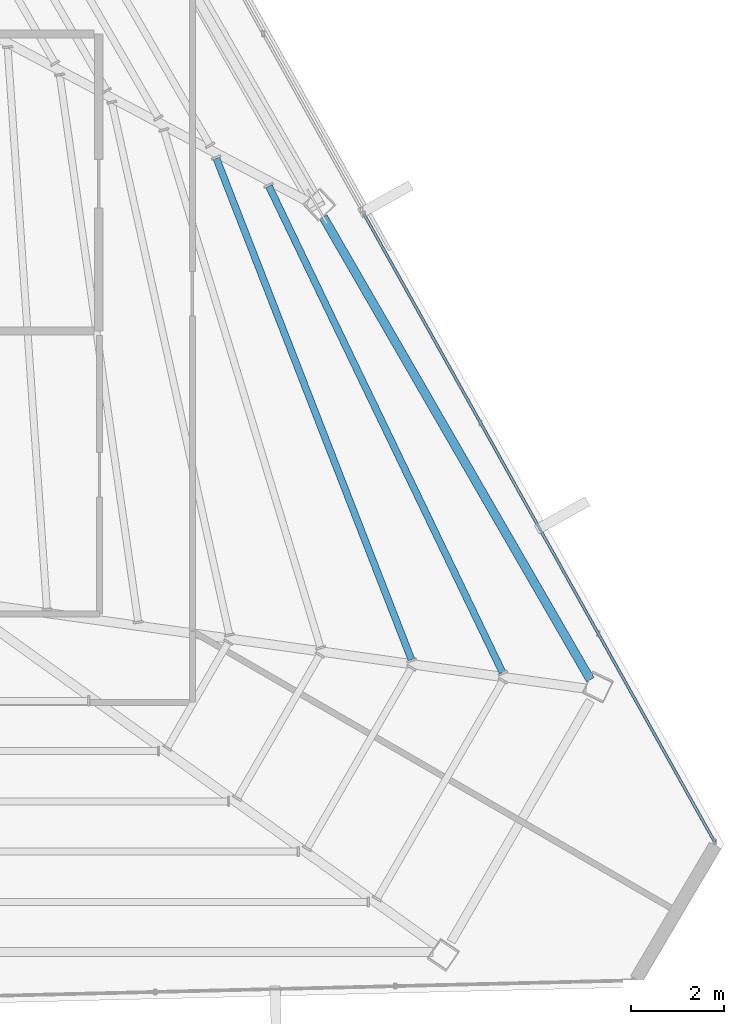
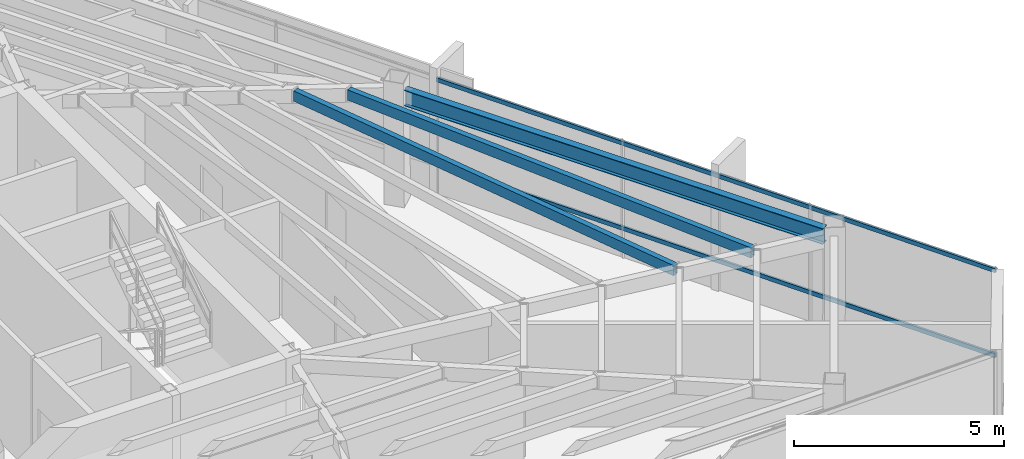
# One storey, part 26 of 48: 3 beams, 2 members, 1 element without a shape of its own.
"""IFC4 building model written with IfcOpenShell, lengths in metres."""

from ifc_helpers import new_model, si_unit, direction, frame, origin, origin_2d, place, context, subcontext, project, spatial, hollow_rectangle, i_section, extrude, source, transform, mapped, material, material_profile, profile_set, type_object, type_shapes, element, aggregate, save


model = new_model("IFC4")

# Units and contexts
model_context = context("Model", 3, precision=1e-05, world=origin(), true_north=direction((0.0, 1.0)))
body_context = subcontext(model_context, "Body", "Model", "MODEL_VIEW")
ifc_project = project(units=[si_unit("LENGTHUNIT", "METRE"), si_unit("AREAUNIT", "SQUARE_METRE"), si_unit("VOLUMEUNIT", "CUBIC_METRE"), si_unit("PLANEANGLEUNIT", "RADIAN"), si_unit("MASSUNIT", "GRAM", prefix="KILO")], contexts=[model_context])

# Site, building, storey
site_placement = place(None, origin())
site = spatial("IfcSite", under=ifc_project, at=site_placement, CompositionType="ELEMENT")
building_placement = place(site_placement, origin())
building = spatial("IfcBuilding", under=site, at=building_placement, Name="Caelisora Broadcast Tower", CompositionType="ELEMENT")
storey_placement = place(building_placement, frame((0.0, 0.0, 277.300048828125)))
storey = spatial("IfcBuildingStorey", under=building, at=storey_placement, Name="L73", CompositionType="ELEMENT", Elevation=277.300048828125)

# Beams
ifc_material_1 = material(Name="Steel Grade 350 (AS/NZS 3679.1)", Category="steel")
ifc_material_profile_1 = material_profile(ifc_material_1, i_section(OverallWidth=0.19091796875, OverallDepth=0.46044921875, WebThickness=0.010009765625, FlangeThickness=0.01611328125, at=origin_2d()), Name="Steel Grade 350 (AS/NZS 3679.1)")
ifc_profile_set_1 = profile_set([ifc_material_profile_1], Name="Steel Grade 350 (AS/NZS 3679.1)")
beam_type_1 = type_object("IfcBeamType", Name="PG06", PredefinedType="BEAM", material=ifc_profile_set_1)
shared_shape_1 = source(origin(), body_context, "Body", "SweptSolid", [
    extrude(i_section(OverallWidth=0.19091796875, OverallDepth=0.46044921875, WebThickness=0.010009765625, FlangeThickness=0.01611328125, at=origin_2d()), origin(), (0.0, 0.0, 1.0), 11.509521484375),
])
type_shapes(beam_type_1, [shared_shape_1])
beam_1_placement = place(storey_placement, frame((59.174072265625, 15.689208984375, 3.169677734375), z_axis=(-0.500008281547, 0.866020622378, 0.0), x_axis=(-0.866020622378, -0.500008281547, 0.0)))
element("IfcBeam", 1, at=beam_1_placement, inside=storey, type_object=beam_type_1, Name="L73 beam PG06", PredefinedType="BEAM", context=body_context, shape_type="MappedRepresentation", body=[
    mapped(shared_shape_1, transform((0.0, 0.0, 0.0), scale=1.0)),
])
ifc_material_2 = material(Name="Steel Grade 350 (AS/NZS 1163 C350L0)", Category="steel")
ifc_material_profile_2 = material_profile(ifc_material_2, hollow_rectangle(XDim=0.14990234375, YDim=0.300048828125, WallThickness=0.010009765625, at=origin_2d()), Name="Steel Grade 350 (AS/NZS 1163 C350L0)")
ifc_profile_set_2 = profile_set([ifc_material_profile_2], Name="Steel Grade 350 (AS/NZS 1163 C350L0)")
beam_type_2 = type_object("IfcBeamType", Name="SB05", PredefinedType="JOIST", material=ifc_profile_set_2)
shared_shape_2 = source(origin(), body_context, "Body", "SweptSolid", [
    extrude(hollow_rectangle(XDim=0.14990234375, YDim=0.300048828125, WallThickness=0.010009765625, at=origin_2d()), origin(), (0.0, 0.0, 1.0), 11.621826171875),
])
beam_2_placement = place(storey_placement, frame((57.28125, 15.845947265625, 3.25), z_axis=(-0.43308343017, 0.901353838685, 0.0), x_axis=(-0.901353838685, -0.43308343017, 0.0)))
element("IfcBeam", 2, at=beam_2_placement, inside=storey, type_object=beam_type_2, Name="L73 beam SB05", PredefinedType="JOIST", context=body_context, shape_type="MappedRepresentation", body=[
    mapped(shared_shape_2, transform((0.0, 0.0, 0.0), scale=1.0)),
])
shared_shape_3 = source(origin(), body_context, "Body", "SweptSolid", [
    extrude(hollow_rectangle(XDim=0.14990234375, YDim=0.300048828125, WallThickness=0.010009765625, at=origin_2d()), origin(), (0.0, 0.0, 1.0), 11.58642578125),
])
type_shapes(beam_type_2, [shared_shape_2, shared_shape_3])
beam_3_placement = place(storey_placement, frame((55.319580078125, 16.12109375, 3.25), z_axis=(-0.362633351518, 0.931931892558, 0.0), x_axis=(-0.931931892558, -0.362633351518, 0.0)))
element("IfcBeam", 3, at=beam_3_placement, inside=storey, type_object=beam_type_2, Name="L73 beam SB05", PredefinedType="JOIST", context=body_context, shape_type="MappedRepresentation", body=[
    mapped(shared_shape_3, transform((0.0, 0.0, 0.0), scale=1.0)),
])

# Curtain wall, members
ifc_material_3 = material(Name="Unitised Aluminium and Low-E Glass Curtain Wall", Category="glass")
curtain_wall_type = type_object("IfcCurtainWallType", Name="CW-Z5", PredefinedType="NOTDEFINED", material=ifc_material_3)
curtain_wall_placement = place(storey_placement, origin())
curtain_wall = element("IfcCurtainWall", 4, at=curtain_wall_placement, inside=storey, type_object=curtain_wall_type, Name="L73 curtain wall CW-Z5", PredefinedType="NOTDEFINED")
ifc_material_4 = material(Name="Aluminium 6063-T6 Anodised Terracotta Bronze", Category="aluminium")
ifc_material_profile_3 = material_profile(ifc_material_4, hollow_rectangle(XDim=0.06005859375, YDim=0.1201171875, WallThickness=0.0029296875, at=origin_2d()), Name="Aluminium 6063-T6 Anodised Terracotta Bronze")
ifc_profile_set_3 = profile_set([ifc_material_profile_3], Name="Aluminium 6063-T6 Anodised Terracotta Bronze")
member_type = type_object("IfcMemberType", Name="CWT-03", PredefinedType="USERDEFINED", material=ifc_profile_set_3)
shared_shape_4 = source(origin(), body_context, "Body", "SweptSolid", [
    extrude(hollow_rectangle(XDim=0.06005859375, YDim=0.1201171875, WallThickness=0.0029296875, at=origin_2d()), origin(), (0.0, 0.0, 1.0), 15.494873046875),
])
type_shapes(member_type, [shared_shape_4])
member_1_placement = place(storey_placement, frame((54.298583984375, 25.71533203125, 0.849853515625), z_axis=(0.487643011043, -0.873043122521, 0.0), x_axis=(0.873043122521, 0.487643011043, 0.0)))
member_1 = element("IfcMember", 5, at=member_1_placement, type_object=member_type, Name="L73-CW-B03 transom #1", ObjectType="TRANSOM", PredefinedType="USERDEFINED", context=body_context, shape_type="MappedRepresentation", body=[
    mapped(shared_shape_4, transform((0.0, 0.0, 0.0), scale=1.0)),
])
member_2_placement = place(storey_placement, frame((54.298583984375, 25.71533203125, 3.320068359375), z_axis=(0.487643011043, -0.873043122521, 0.0), x_axis=(0.873043122521, 0.487643011043, 0.0)))
member_2 = element("IfcMember", 6, at=member_2_placement, type_object=member_type, Name="L73-CW-B03 transom #2", ObjectType="TRANSOM", PredefinedType="USERDEFINED", context=body_context, shape_type="MappedRepresentation", body=[
    mapped(shared_shape_4, transform((0.0, 0.0, 0.0), scale=1.0)),
])
aggregate(curtain_wall, [member_1, member_2])

save(model, "model.ifc")
